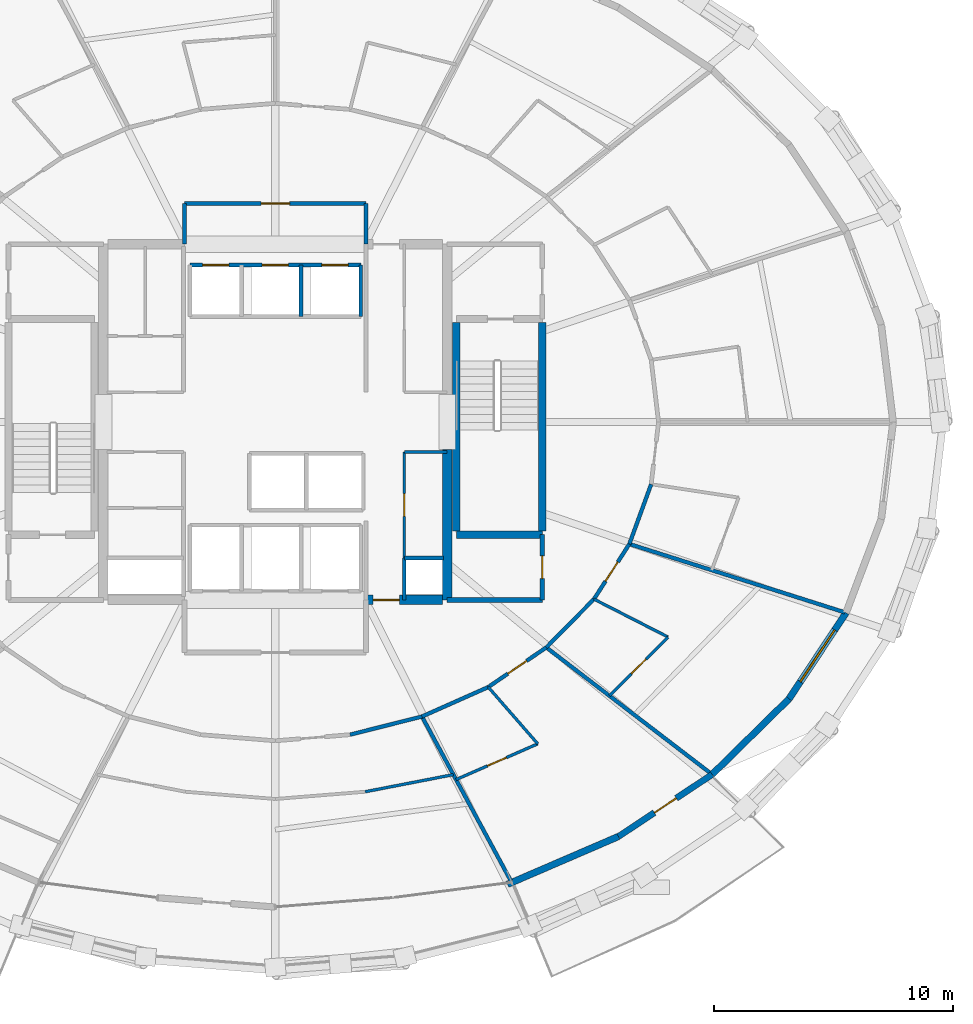
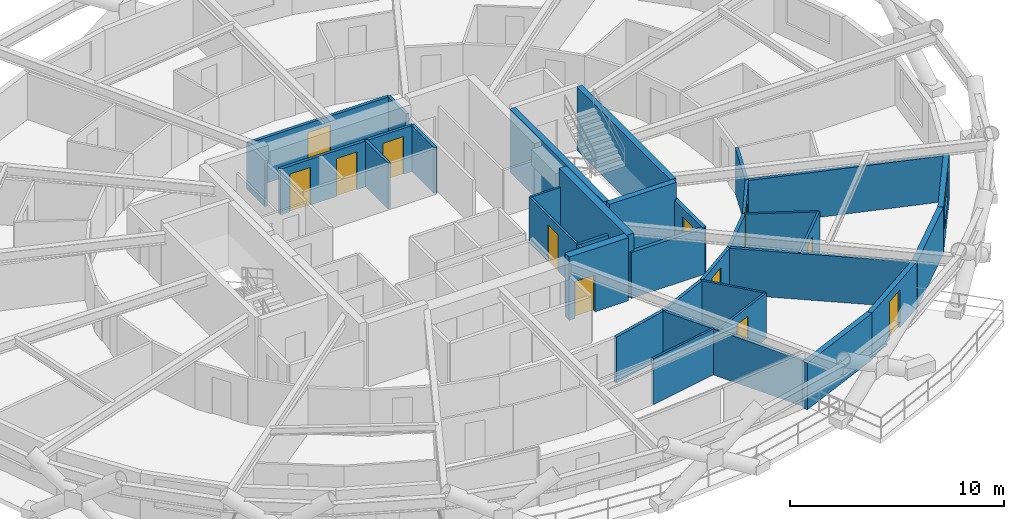
# One storey, part 9 of 13: 35 walls, 12 doors, 1 window, 13 openings.
"""IFC4 building model written with IfcOpenShell, lengths in metres."""

from ifc_helpers import new_model, si_unit, direction, frame, frame_2d, origin, place, context, subcontext, project, spatial, rectangle, extrude, material, layer, layer_set, type_object, element, fill, save


model = new_model("IFC4")

# Units and contexts
model_context = context("Model", 3, precision=1e-05, world=origin(), true_north=direction((0.0, 1.0)))
body_context = subcontext(model_context, "Body", "Model", "MODEL_VIEW")
ifc_project = project(units=[si_unit("LENGTHUNIT", "METRE"), si_unit("AREAUNIT", "SQUARE_METRE"), si_unit("VOLUMEUNIT", "CUBIC_METRE"), si_unit("PLANEANGLEUNIT", "RADIAN"), si_unit("MASSUNIT", "GRAM", prefix="KILO")], contexts=[model_context])

# Site, building, storey
site_placement = place(None, origin())
site = spatial("IfcSite", under=ifc_project, at=site_placement, CompositionType="ELEMENT")
building_placement = place(site_placement, origin())
building = spatial("IfcBuilding", under=site, at=building_placement, Name="Veldorina Hangang Commons", CompositionType="ELEMENT")
storey_placement = place(building_placement, frame((0.0, 0.0, 37.60009765625)))
storey = spatial("IfcBuildingStorey", under=building, at=storey_placement, Name="L08", CompositionType="ELEMENT", Elevation=37.60009765625)

# Wall
ifc_material_1 = material(Name="Concrete C70/85", Category="concrete")
ifc_layer_1 = layer(ifc_material_1, 0.39990234375)
ifc_layer_set_1 = layer_set([ifc_layer_1], Name="Concrete C70/85")
wall_type_1 = type_object("IfcWallType", Name="CW-RC400-C70", PredefinedType="SHEAR", material=ifc_layer_set_1)
wall_1_placement = place(storey_placement, frame((39.199951171875, 16.550048828125, 0.0), z_axis=(0.0, 0.0, 1.0), x_axis=(0.0, 1.0, 0.0)))
element("IfcWall", 1, at=wall_1_placement, inside=storey, type_object=wall_type_1, Name="L08 E south core shear wall", PredefinedType="SHEAR", context=body_context, shape_type="SweptSolid", body=[
    extrude(rectangle(XDim=6.300048828125, YDim=0.39990234375, at=frame_2d((3.14990234375, 0.0))), origin(), (0.0, 0.0, 1.0), 3.599853515625),
])

# Wall, opening, door
wall_2_placement = place(storey_placement, frame((35.800048828125, 16.550048828125, 0.0), z_axis=(0.0, 0.0, 1.0), x_axis=(1.0, 0.0, 0.0)))
wall_2 = element("IfcWall", 2, at=wall_2_placement, inside=storey, type_object=wall_type_1, Name="L08 south-east core shear wall", PredefinedType="SHEAR", context=body_context, shape_type="SweptSolid", body=[
    extrude(rectangle(XDim=3.199951171875, YDim=0.39990234375, at=frame_2d((1.60009765625, 0.0))), origin(), (0.0, 0.0, 1.0), 3.599853515625),
])
opening_1_placement = place(wall_2_placement, frame((0.300048828125, 0.0, 0.0)))
opening_1 = element("IfcOpeningElement", 3, at=opening_1_placement, cuts=wall_2, Name="Opening D-08", PredefinedType="OPENING", context=body_context, shape_type="SweptSolid", body=[
    extrude(rectangle(XDim=1.10009765625, YDim=2.10009765625, at=frame_2d((0.550048828125, 1.050048828125))), frame((0.0, 0.2099609375, 0.0), z_axis=(0.0, -1.0, 0.0), x_axis=(1.0, 0.0, 0.0)), (0.0, 0.0, 1.0), 0.419921875),
])
ifc_material_2 = material(Name="Steel Fire-Rated Smoke Seal", Category="steel")
door_type_1 = type_object("IfcDoorType", Name="DR-FIRE-1100", OperationType="SINGLE_SWING_RIGHT", PredefinedType="DOOR", material=ifc_material_2)
door_1_placement = place(opening_1_placement, origin())
door_1 = element("IfcDoor", 4, at=door_1_placement, inside=storey, type_object=door_type_1, Name="L08 central lift lobby south corridor door", OperationType="SINGLE_SWING_RIGHT", OverallHeight=2.10009765625, OverallWidth=1.10009765625, PredefinedType="DOOR", context=body_context, shape_type="SweptSolid", body=[
    extrude(rectangle(XDim=1.10009765625, YDim=2.10009765625, at=frame_2d((0.550048828125, 1.050048828125))), frame((0.0, 0.02490234375, 0.0), z_axis=(0.0, -1.0, 0.0), x_axis=(1.0, 0.0, 0.0)), (0.0, 0.0, 1.0), 0.050048828125),
])
fill(opening_1, door_1)

ifc_material_3 = material(Name="Stone Roman Travertine", Category="masonry")
ifc_layer_2 = layer(ifc_material_3, 0.260009765625)
ifc_layer_set_2 = layer_set([ifc_layer_2], Name="Stone Roman Travertine")
wall_type_2 = type_object("IfcWallType", Name="EW-LOGGIA-260", PredefinedType="STANDARD", material=ifc_layer_set_2)
wall_3_placement = place(storey_placement, frame((46.374755859375, 6.64404296875, 0.0), z_axis=(0.0, 0.0, 1.0), x_axis=(0.833795486972, 0.552073442492, 0.0)))
wall_3 = element("IfcWall", 5, at=wall_3_placement, inside=storey, type_object=wall_type_2, Name="L08 sky-garden loggia portal wall 27", PredefinedType="STANDARD", context=body_context, shape_type="SweptSolid", body=[
    extrude(rectangle(XDim=4.7021484375, YDim=0.260009765625, at=frame_2d((2.35107421875, 0.0))), origin(), (0.0, 0.0, 1.0), 2.64990234375),
])
opening_2_placement = place(wall_3_placement, frame((1.801025390625, 0.0, 0.0)))
opening_2 = element("IfcOpeningElement", 6, at=opening_2_placement, cuts=wall_3, Name="Opening BD-1100", PredefinedType="OPENING", context=body_context, shape_type="SweptSolid", body=[
    extrude(rectangle(XDim=1.10009765625, YDim=2.14990234375, at=frame_2d((0.550048828125, 1.074951171875))), frame((0.0, 0.14013671875, 0.0), z_axis=(0.0, -1.0, 0.0), x_axis=(1.0, 0.0, 0.0)), (0.0, 0.0, 1.0), 0.280029296875),
])
ifc_material_4 = material(Name="Glass Thermal Aluminium Frame", Category="aluminium")
door_type_2 = type_object("IfcDoorType", Name="DR-EXT-BAL1100", OperationType="SINGLE_SWING_RIGHT", PredefinedType="DOOR", material=ifc_material_4)
door_2_placement = place(opening_2_placement, origin())
door_2 = element("IfcDoor", 7, at=door_2_placement, inside=storey, type_object=door_type_2, Name="L08 tree balcony glazed exterior door 27", OperationType="SINGLE_SWING_RIGHT", OverallHeight=2.14990234375, OverallWidth=1.10009765625, PredefinedType="DOOR", context=body_context, shape_type="SweptSolid", body=[
    extrude(rectangle(XDim=1.10009765625, YDim=2.14990234375, at=frame_2d((0.550048828125, 1.074951171875))), frame((0.0, 0.02490234375, 0.0), z_axis=(0.0, -1.0, 0.0), x_axis=(1.0, 0.0, 0.0)), (0.0, 0.0, 1.0), 0.050048828125),
])
fill(opening_2, door_2)

# Walls
ifc_layer_3 = layer(ifc_material_3, 0.280029296875)
ifc_layer_set_3 = layer_set([ifc_layer_3], Name="Stone Roman Travertine")
wall_type_3 = type_object("IfcWallType", Name="EW-TRAV-280", PredefinedType="STANDARD", material=ifc_layer_set_3)
wall_4_placement = place(storey_placement, frame((41.72412109375, 4.638671875, 0.0), z_axis=(0.0, 0.0, 1.0), x_axis=(0.91826758141, 0.395960413339, 0.0)))
element("IfcWall", 8, at=wall_4_placement, inside=storey, type_object=wall_type_3, Name="L08 travertine facade wall 26", PredefinedType="STANDARD", context=body_context, shape_type="SweptSolid", body=[
    extrude(rectangle(XDim=5.064453125, YDim=0.280029296875, at=frame_2d((2.5322265625, 0.0))), origin(), (0.0, 0.0, 1.0), 2.64990234375),
])
wall_5_placement = place(storey_placement, frame((50.29541015625, 9.239990234375, 0.0), z_axis=(0.0, 0.0, 1.0), x_axis=(0.713140886871, 0.701020738262, 0.0)))
element("IfcWall", 9, at=wall_5_placement, inside=storey, type_object=wall_type_3, Name="L08 travertine facade wall 28", PredefinedType="STANDARD", context=body_context, shape_type="SweptSolid", body=[
    extrude(rectangle(XDim=4.51220703125, YDim=0.280029296875, at=frame_2d((2.256103515625, 0.0))), origin(), (0.0, 0.0, 1.0), 2.64990234375),
])

# Wall, opening, window
wall_6_placement = place(storey_placement, frame((53.51318359375, 12.403076171875, 0.0), z_axis=(0.0, 0.0, 1.0), x_axis=(0.552329372668, 0.833625973737, 0.0)))
wall_6 = element("IfcWall", 10, at=wall_6_placement, inside=storey, type_object=wall_type_3, Name="L08 travertine facade wall 29", PredefinedType="STANDARD", context=body_context, shape_type="SweptSolid", body=[
    extrude(rectangle(XDim=4.3291015625, YDim=0.280029296875, at=frame_2d((2.16455078125, 0.0))), origin(), (0.0, 0.0, 1.0), 2.64990234375),
])
opening_3_placement = place(wall_6_placement, frame((0.864501953125, 0.0, 0.800048828125)))
opening_3 = element("IfcOpeningElement", 11, at=opening_3_placement, cuts=wall_6, Name="Opening W-02", PredefinedType="OPENING", context=body_context, shape_type="SweptSolid", body=[
    extrude(rectangle(XDim=2.60009765625, YDim=1.64990234375, at=frame_2d((1.300048828125, 0.824951171875))), frame((0.0, 0.14990234375, 0.0), z_axis=(0.0, -1.0, 0.0), x_axis=(1.0, 0.0, 0.0)), (0.0, 0.0, 1.0), 0.300048828125),
])
ifc_material_5 = material(Name="Glass Low-E Triple IGU", Category="glass")
window_type = type_object("IfcWindowType", Name="WIN-TWR-2600", PartitioningType="SINGLE_PANEL", PredefinedType="WINDOW", material=ifc_material_5)
window_placement = place(opening_3_placement, origin())
window = element("IfcWindow", 12, at=window_placement, inside=storey, type_object=window_type, Name="L08 facade window 29", OverallHeight=1.64990234375, OverallWidth=2.60009765625, PartitioningType="SINGLE_PANEL", PredefinedType="WINDOW", context=body_context, shape_type="SweptSolid", body=[
    extrude(rectangle(XDim=2.60009765625, YDim=1.64990234375, at=frame_2d((1.300048828125, 0.824951171875))), frame((0.0, 0.030029296875, 0.0), z_axis=(0.0, -1.0, 0.0), x_axis=(1.0, 0.0, 0.0)), (0.0, 0.0, 1.0), 0.06005859375),
])
fill(opening_3, window)

# Walls
ifc_material_6 = material(Name="Concrete C50/60", Category="concrete")
ifc_layer_4 = layer(ifc_material_6, 0.300048828125)
ifc_layer_set_4 = layer_set([ifc_layer_4], Name="Concrete C50/60")
wall_type_4 = type_object("IfcWallType", Name="SW-STAIR-300", PredefinedType="SHEAR", material=ifc_layer_set_4)
for number, where, z_axis, x_axis, name in (
    (13, (43.179931640625, 19.429931640625, 0.0), (0.0, 0.0, 1.0), (0.0, 1.0, 0.0), "L08 ST2 outer stair shear wall"),
    (14, (39.580078125, 19.429931640625, 0.0), (0.0, 0.0, 1.0), (0.0, 1.0, 0.0), "L08 ST2 inner stair shear wall"),
):
    element("IfcWall", number, at=place(storey_placement, frame(where, z_axis=z_axis, x_axis=x_axis)), inside=storey, type_object=wall_type_4, Name=name, PredefinedType="SHEAR", context=body_context, shape_type="SweptSolid", body=[
        extrude(rectangle(XDim=8.739990234375, YDim=0.300048828125, at=frame_2d((4.3701171875, 0.0))), origin(), (0.0, 0.0, 1.0), 3.599853515625),
    ])
wall_7_placement = place(storey_placement, frame((39.580078125, 19.280029296875, 0.0), z_axis=(0.0, 0.0, 1.0), x_axis=(1.0, 0.0, 0.0)))
element("IfcWall", 15, at=wall_7_placement, inside=storey, type_object=wall_type_4, Name="L08 ST2 south stair shear wall", PredefinedType="SHEAR", context=body_context, shape_type="SweptSolid", body=[
    extrude(rectangle(XDim=3.599853515625, YDim=0.300048828125, at=frame_2d((1.7998046875, 0.0))), origin(), (0.0, 0.0, 1.0), 3.599853515625),
])
ifc_material_7 = material(Name="Gypsum Fire-Rated Twin Stud Wall", Category="gypsum")
ifc_layer_5 = layer(ifc_material_7, 0.159912109375)
ifc_layer_set_5 = layer_set([ifc_layer_5], Name="Gypsum Fire-Rated Twin Stud Wall")
wall_type_5 = type_object("IfcWallType", Name="WL-FIRE-160", PredefinedType="SOLIDWALL", material=ifc_layer_set_5)
wall_8_placement = place(storey_placement, frame((37.39990234375, 16.550048828125, 0.0), z_axis=(0.0, 0.0, 1.0), x_axis=(0.0, 1.0, 0.0)))
element("IfcWall", 16, at=wall_8_placement, inside=storey, type_object=wall_type_5, Name="L08 Lift passage SE stub 010", PredefinedType="SOLIDWALL", context=body_context, shape_type="SweptSolid", body=[
    extrude(rectangle(XDim=1.75, YDim=0.159912109375, at=frame_2d((0.875, 0.0))), origin(), (0.0, 0.0, 1.0), 2.60986328125),
])

# Wall, openings, doors
wall_9_placement = place(storey_placement, frame((28.419921875, 30.580078125, 0.0), z_axis=(0.0, 0.0, 1.0), x_axis=(1.0, 0.0, 0.0)))
wall_9 = element("IfcWall", 17, at=wall_9_placement, inside=storey, type_object=wall_type_5, Name="L08 Low-bank front shaft wall 015", PredefinedType="SOLIDWALL", context=body_context, shape_type="SweptSolid", body=[
    extrude(rectangle(XDim=7.16015625, YDim=0.159912109375, at=frame_2d((3.580078125, 0.0))), origin(), (0.0, 0.0, 1.0), 2.60986328125),
])
opening_4_placement = place(wall_9_placement, frame((0.530029296875, 0.0, 0.0)))
opening_4 = element("IfcOpeningElement", 18, at=opening_4_placement, cuts=wall_9, Name="Opening LD-01", PredefinedType="OPENING", context=body_context, shape_type="SweptSolid", body=[
    extrude(rectangle(XDim=1.10009765625, YDim=2.14990234375, at=frame_2d((0.550048828125, 1.074951171875))), frame((0.0, 0.08984375, 0.0), z_axis=(0.0, -1.0, 0.0), x_axis=(1.0, 0.0, 0.0)), (0.0, 0.0, 1.0), 0.179931640625),
])
opening_5_placement = place(wall_9_placement, frame((3.030029296875, 0.0, 0.0)))
opening_5 = element("IfcOpeningElement", 19, at=opening_5_placement, cuts=wall_9, Name="Opening LD-01", PredefinedType="OPENING", context=body_context, shape_type="SweptSolid", body=[
    extrude(rectangle(XDim=1.10009765625, YDim=2.14990234375, at=frame_2d((0.550048828125, 1.074951171875))), frame((0.0, 0.08984375, 0.0), z_axis=(0.0, -1.0, 0.0), x_axis=(1.0, 0.0, 0.0)), (0.0, 0.0, 1.0), 0.179931640625),
])
opening_6_placement = place(wall_9_placement, frame((5.530029296875, 0.0, 0.0)))
opening_6 = element("IfcOpeningElement", 20, at=opening_6_placement, cuts=wall_9, Name="Opening LD-01", PredefinedType="OPENING", context=body_context, shape_type="SweptSolid", body=[
    extrude(rectangle(XDim=1.10009765625, YDim=2.14990234375, at=frame_2d((0.550048828125, 1.074951171875))), frame((0.0, 0.08984375, 0.0), z_axis=(0.0, -1.0, 0.0), x_axis=(1.0, 0.0, 0.0)), (0.0, 0.0, 1.0), 0.179931640625),
])
ifc_material_8 = material(Name="Stainless Steel Brushed Lift Door", Category="steel")
door_type_3 = type_object("IfcDoorType", Name="DR-LIFT-1100", OperationType="SLIDING_TO_LEFT", PredefinedType="DOOR", material=ifc_material_8)
door_3_placement = place(opening_4_placement, origin())
door_3 = element("IfcDoor", 21, at=door_3_placement, inside=storey, type_object=door_type_3, Name="L08 Lift PL-L1 landing door 006", OperationType="SLIDING_TO_LEFT", OverallHeight=2.14990234375, OverallWidth=1.10009765625, PredefinedType="DOOR", context=body_context, shape_type="SweptSolid", body=[
    extrude(rectangle(XDim=1.10009765625, YDim=2.14990234375, at=frame_2d((0.550048828125, 1.074951171875))), frame((0.0, 0.02490234375, 0.0), z_axis=(0.0, -1.0, 0.0), x_axis=(1.0, 0.0, 0.0)), (0.0, 0.0, 1.0), 0.050048828125),
])
fill(opening_4, door_3)
door_4_placement = place(opening_5_placement, origin())
door_4 = element("IfcDoor", 22, at=door_4_placement, inside=storey, type_object=door_type_3, Name="L08 Lift PL-L2 landing door 007", OperationType="SLIDING_TO_LEFT", OverallHeight=2.14990234375, OverallWidth=1.10009765625, PredefinedType="DOOR", context=body_context, shape_type="SweptSolid", body=[
    extrude(rectangle(XDim=1.10009765625, YDim=2.14990234375, at=frame_2d((0.550048828125, 1.074951171875))), frame((0.0, 0.02490234375, 0.0), z_axis=(0.0, -1.0, 0.0), x_axis=(1.0, 0.0, 0.0)), (0.0, 0.0, 1.0), 0.050048828125),
])
fill(opening_5, door_4)
door_5_placement = place(opening_6_placement, origin())
door_5 = element("IfcDoor", 23, at=door_5_placement, inside=storey, type_object=door_type_3, Name="L08 Lift PL-L3 landing door 008", OperationType="SLIDING_TO_LEFT", OverallHeight=2.14990234375, OverallWidth=1.10009765625, PredefinedType="DOOR", context=body_context, shape_type="SweptSolid", body=[
    extrude(rectangle(XDim=1.10009765625, YDim=2.14990234375, at=frame_2d((0.550048828125, 1.074951171875))), frame((0.0, 0.02490234375, 0.0), z_axis=(0.0, -1.0, 0.0), x_axis=(1.0, 0.0, 0.0)), (0.0, 0.0, 1.0), 0.050048828125),
])
fill(opening_6, door_5)

# Walls
for number, where, z_axis, x_axis, name in (
    (24, (33.080078125, 28.419921875, 0.0), (0.0, 0.0, 1.0), (0.0, 1.0, 0.0), "L08 PL-L2 east shaft wall 019"),
    (25, (35.580078125, 28.419921875, 0.0), (0.0, 0.0, 1.0), (0.0, 1.0, 0.0), "L08 PL-L3 east shaft wall 020"),
):
    element("IfcWall", number, at=place(storey_placement, frame(where, z_axis=z_axis, x_axis=x_axis)), inside=storey, type_object=wall_type_5, Name=name, PredefinedType="SOLIDWALL", context=body_context, shape_type="SweptSolid", body=[
        extrude(rectangle(XDim=2.16015625, YDim=0.159912109375, at=frame_2d((1.080078125, 0.0))), origin(), (0.0, 0.0, 1.0), 2.60986328125),
    ])
for number, where, z_axis, x_axis, name in (
    (26, (28.199951171875, 31.449951171875, 0.0), (0.0, 0.0, 1.0), (0.0, 1.0, 0.0), "L08 North lobby west wall 032"),
    (27, (35.800048828125, 31.449951171875, 0.0), (0.0, 0.0, 1.0), (0.0, 1.0, 0.0), "L08 North lobby east wall 033"),
):
    element("IfcWall", number, at=place(storey_placement, frame(where, z_axis=z_axis, x_axis=x_axis)), inside=storey, type_object=wall_type_5, Name=name, PredefinedType="SOLIDWALL", context=body_context, shape_type="SweptSolid", body=[
        extrude(rectangle(XDim=1.699951171875, YDim=0.159912109375, at=frame_2d((0.85009765625, 0.0))), origin(), (0.0, 0.0, 1.0), 2.60986328125),
    ])

# Wall, opening, door
wall_10_placement = place(storey_placement, frame((28.199951171875, 33.14990234375, 0.0), z_axis=(0.0, 0.0, 1.0), x_axis=(1.0, 0.0, 0.0)))
wall_10 = element("IfcWall", 28, at=wall_10_placement, inside=storey, type_object=wall_type_5, Name="L08 North lobby north wall 034", PredefinedType="SOLIDWALL", context=body_context, shape_type="SweptSolid", body=[
    extrude(rectangle(XDim=7.60009765625, YDim=0.159912109375, at=frame_2d((3.800048828125, 0.0))), origin(), (0.0, 0.0, 1.0), 2.60986328125),
])
opening_7_placement = place(wall_10_placement, frame((3.199951171875, 0.0, 0.0)))
opening_7 = element("IfcOpeningElement", 29, at=opening_7_placement, cuts=wall_10, Name="Opening D-09", PredefinedType="OPENING", context=body_context, shape_type="SweptSolid", body=[
    extrude(rectangle(XDim=1.199951171875, YDim=2.10009765625, at=frame_2d((0.60009765625, 1.050048828125))), frame((0.0, 0.08984375, 0.0), z_axis=(0.0, -1.0, 0.0), x_axis=(1.0, 0.0, 0.0)), (0.0, 0.0, 1.0), 0.179931640625),
])
ifc_material_9 = material(Name="Steel Fire-Rated Corridor Door", Category="steel")
door_type_4 = type_object("IfcDoorType", Name="DR-FIRE-1200", OperationType="SINGLE_SWING_LEFT", PredefinedType="DOOR", material=ifc_material_9)
door_6_placement = place(opening_7_placement, origin())
door_6 = element("IfcDoor", 30, at=door_6_placement, inside=storey, type_object=door_type_4, Name="L08 North lift lobby corridor door 012", OperationType="SINGLE_SWING_RIGHT", OverallHeight=2.10009765625, OverallWidth=1.199951171875, PredefinedType="DOOR", context=body_context, shape_type="SweptSolid", body=[
    extrude(rectangle(XDim=1.199951171875, YDim=2.10009765625, at=frame_2d((0.60009765625, 1.050048828125))), frame((0.0, 0.02490234375, 0.0), z_axis=(0.0, -1.0, 0.0), x_axis=(1.0, 0.0, 0.0)), (0.0, 0.0, 1.0), 0.050048828125),
])
fill(opening_7, door_6)

# Walls
wall_11_placement = place(storey_placement, frame((37.39990234375, 18.300048828125, 0.0), z_axis=(0.0, 0.0, 1.0), x_axis=(1.0, 0.0, 0.0)))
element("IfcWall", 31, at=wall_11_placement, inside=storey, type_object=wall_type_5, Name="L08 Plumbing riser wall 037", PredefinedType="SOLIDWALL", context=body_context, shape_type="SweptSolid", body=[
    extrude(rectangle(XDim=1.650146484375, YDim=0.159912109375, at=frame_2d((0.8251953125, 0.0))), origin(), (0.0, 0.0, 1.0), 2.60986328125),
])
wall_12_placement = place(storey_placement, frame((35.131103515625, 10.906494140625, 0.0), z_axis=(0.0, 0.0, 1.0), x_axis=(0.969608333194, 0.244662380029, 0.0)))
element("IfcWall", 32, at=wall_12_placement, inside=storey, type_object=wall_type_5, Name="L08 Corridor outer wall 25 073", PredefinedType="SOLIDWALL", context=body_context, shape_type="SweptSolid", body=[
    extrude(rectangle(XDim=3.10546875, YDim=0.159912109375, at=frame_2d((1.552734375, 0.0))), origin(), (0.0, 0.0, 1.0), 2.60986328125),
])
wall_13_placement = place(storey_placement, frame((38.14208984375, 11.666259765625, 0.0), z_axis=(0.0, 0.0, 1.0), x_axis=(0.913768445178, 0.406235434936, 0.0)))
element("IfcWall", 33, at=wall_13_placement, inside=storey, type_object=wall_type_5, Name="L08 Corridor outer wall 26 074", PredefinedType="SOLIDWALL", context=body_context, shape_type="SweptSolid", body=[
    extrude(rectangle(XDim=3.036865234375, YDim=0.159912109375, at=frame_2d((1.5185546875, 0.0))), origin(), (0.0, 0.0, 1.0), 2.60986328125),
])

# Wall, opening, door
wall_14_placement = place(storey_placement, frame((40.9169921875, 12.89990234375, 0.0), z_axis=(0.0, 0.0, 1.0), x_axis=(0.825929039072, 0.563774088104, 0.0)))
wall_14 = element("IfcWall", 34, at=wall_14_placement, inside=storey, type_object=wall_type_5, Name="L08 Corridor outer wall 27 075", PredefinedType="SOLIDWALL", context=body_context, shape_type="SweptSolid", body=[
    extrude(rectangle(XDim=2.94482421875, YDim=0.159912109375, at=frame_2d((1.472412109375, 0.0))), origin(), (0.0, 0.0, 1.0), 2.60986328125),
])
opening_8_placement = place(wall_14_placement, frame((0.997314453125, 0.0, 0.0)))
opening_8 = element("IfcOpeningElement", 35, at=opening_8_placement, cuts=wall_14, Name="Opening D-03", PredefinedType="OPENING", context=body_context, shape_type="SweptSolid", body=[
    extrude(rectangle(XDim=0.949951171875, YDim=2.10009765625, at=frame_2d((0.47509765625, 1.050048828125))), frame((0.0, 0.08984375, 0.0), z_axis=(0.0, -1.0, 0.0), x_axis=(1.0, 0.0, 0.0)), (0.0, 0.0, 1.0), 0.179931640625),
])
ifc_material_10 = material(Name="Timber Fire-Rated Entrance Core", Category="wood")
door_type_5 = type_object("IfcDoorType", Name="DR-UNIT-950", OperationType="SINGLE_SWING_RIGHT", PredefinedType="DOOR", material=ifc_material_10)
door_7_placement = place(opening_8_placement, origin())
door_7 = element("IfcDoor", 36, at=door_7_placement, inside=storey, type_object=door_type_5, Name="L08 Studio 2 entrance door 023", OperationType="SINGLE_SWING_LEFT", OverallHeight=2.10009765625, OverallWidth=0.949951171875, PredefinedType="DOOR", context=body_context, shape_type="SweptSolid", body=[
    extrude(rectangle(XDim=0.949951171875, YDim=2.10009765625, at=frame_2d((0.47509765625, 1.050048828125))), frame((0.0, 0.02490234375, 0.0), z_axis=(0.0, -1.0, 0.0), x_axis=(1.0, 0.0, 0.0)), (0.0, 0.0, 1.0), 0.050048828125),
])
fill(opening_8, door_7)

# Wall
wall_15_placement = place(storey_placement, frame((43.34912109375, 14.56005859375, 0.0), z_axis=(0.0, 0.0, 1.0), x_axis=(0.702366174226, 0.711815816981, 0.0)))
element("IfcWall", 37, at=wall_15_placement, inside=storey, type_object=wall_type_5, Name="L08 Corridor outer wall 28 076", PredefinedType="SOLIDWALL", context=body_context, shape_type="SweptSolid", body=[
    extrude(rectangle(XDim=2.842041015625, YDim=0.159912109375, at=frame_2d((1.4208984375, 0.0))), origin(), (0.0, 0.0, 1.0), 2.60986328125),
])

# Wall, opening, door
wall_16_placement = place(storey_placement, frame((45.34521484375, 16.5830078125, 0.0), z_axis=(0.0, 0.0, 1.0), x_axis=(0.540595670038, 0.841282545603, 0.0)))
wall_16 = element("IfcWall", 38, at=wall_16_placement, inside=storey, type_object=wall_type_5, Name="L08 Corridor outer wall 29 077", PredefinedType="SOLIDWALL", context=body_context, shape_type="SweptSolid", body=[
    extrude(rectangle(XDim=2.74365234375, YDim=0.159912109375, at=frame_2d((1.371826171875, 0.0))), origin(), (0.0, 0.0, 1.0), 2.60986328125),
])
opening_9_placement = place(wall_16_placement, frame((0.896728515625, 0.0, 0.0)))
opening_9 = element("IfcOpeningElement", 39, at=opening_9_placement, cuts=wall_16, Name="Opening D-03", PredefinedType="OPENING", context=body_context, shape_type="SweptSolid", body=[
    extrude(rectangle(XDim=0.949951171875, YDim=2.10009765625, at=frame_2d((0.47509765625, 1.050048828125))), frame((0.0, 0.08984375, 0.0), z_axis=(0.0, -1.0, 0.0), x_axis=(1.0, 0.0, 0.0)), (0.0, 0.0, 1.0), 0.179931640625),
])
door_8_placement = place(opening_9_placement, origin())
door_8 = element("IfcDoor", 40, at=door_8_placement, inside=storey, type_object=door_type_5, Name="L08 Studio 3 entrance door 025", OperationType="SINGLE_SWING_LEFT", OverallHeight=2.10009765625, OverallWidth=0.949951171875, PredefinedType="DOOR", context=body_context, shape_type="SweptSolid", body=[
    extrude(rectangle(XDim=0.949951171875, YDim=2.10009765625, at=frame_2d((0.47509765625, 1.050048828125))), frame((0.0, 0.02490234375, 0.0), z_axis=(0.0, -1.0, 0.0), x_axis=(1.0, 0.0, 0.0)), (0.0, 0.0, 1.0), 0.050048828125),
])
fill(opening_9, door_8)

# Walls
wall_17_placement = place(storey_placement, frame((46.828369140625, 18.89111328125, 0.0), z_axis=(0.0, 0.0, 1.0), x_axis=(0.342617982381, 0.939474809747, 0.0)))
element("IfcWall", 41, at=wall_17_placement, inside=storey, type_object=wall_type_5, Name="L08 Corridor outer wall 30 078", PredefinedType="SOLIDWALL", context=body_context, shape_type="SweptSolid", body=[
    extrude(rectangle(XDim=2.665771484375, YDim=0.159912109375, at=frame_2d((1.3330078125, 0.0))), origin(), (0.0, 0.0, 1.0), 2.60986328125),
])
wall_18_placement = place(storey_placement, frame((38.14208984375, 11.666259765625, 0.0), z_axis=(0.0, 0.0, 1.0), x_axis=(0.475710154332, -0.879602097011, 0.0)))
element("IfcWall", 42, at=wall_18_placement, inside=storey, type_object=wall_type_5, Name="L08 Unit party wall 26 085", PredefinedType="SOLIDWALL", context=body_context, shape_type="SweptSolid", body=[
    extrude(rectangle(XDim=7.852783203125, YDim=0.159912109375, at=frame_2d((3.92626953125, 0.0))), origin(), (0.0, 0.0, 1.0), 2.60986328125),
])
wall_19_placement = place(storey_placement, frame((43.34912109375, 14.56005859375, 0.0), z_axis=(0.0, 0.0, 1.0), x_axis=(0.793917921688, -0.608024944902, 0.0)))
element("IfcWall", 43, at=wall_19_placement, inside=storey, type_object=wall_type_5, Name="L08 Unit party wall 28 088", PredefinedType="SOLIDWALL", context=body_context, shape_type="SweptSolid", body=[
    extrude(rectangle(XDim=8.699462890625, YDim=0.159912109375, at=frame_2d((4.349609375, 0.0))), origin(), (0.0, 0.0, 1.0), 2.60986328125),
])
wall_20_placement = place(storey_placement, frame((46.828369140625, 18.89111328125, 0.0), z_axis=(0.0, 0.0, 1.0), x_axis=(0.953188788185, -0.30237581596, 0.0)))
element("IfcWall", 44, at=wall_20_placement, inside=storey, type_object=wall_type_5, Name="L08 Unit party wall 30 091", PredefinedType="SOLIDWALL", context=body_context, shape_type="SweptSolid", body=[
    extrude(rectangle(XDim=9.4716796875, YDim=0.159912109375, at=frame_2d((4.73583984375, 0.0))), origin(), (0.0, 0.0, 1.0), 2.60986328125),
])

# Wall, opening, door
ifc_material_11 = material(Name="Concrete Blockwork Fire Wall C30/37", Category="masonry")
ifc_layer_6 = layer(ifc_material_11, 0.199951171875)
ifc_layer_set_6 = layer_set([ifc_layer_6], Name="Concrete Blockwork Fire Wall C30/37")
wall_type_6 = type_object("IfcWallType", Name="WL-FIRE-200", PredefinedType="SOLIDWALL", material=ifc_layer_set_6)
wall_21_placement = place(storey_placement, frame((43.179931640625, 16.550048828125, 0.0), z_axis=(0.0, 0.0, 1.0), x_axis=(0.0, 1.0, 0.0)))
wall_21 = element("IfcWall", 45, at=wall_21_placement, inside=storey, type_object=wall_type_6, Name="L08 SE core room outer wall 007", PredefinedType="SOLIDWALL", context=body_context, shape_type="SweptSolid", body=[
    extrude(rectangle(XDim=2.72998046875, YDim=0.199951171875, at=frame_2d((1.364990234375, 0.0))), origin(), (0.0, 0.0, 1.0), 2.60986328125),
])
opening_10_placement = place(wall_21_placement, frame((0.889892578125, 0.0, 0.0)))
opening_10 = element("IfcOpeningElement", 46, at=opening_10_placement, cuts=wall_21, Name="Opening D-02", PredefinedType="OPENING", context=body_context, shape_type="SweptSolid", body=[
    extrude(rectangle(XDim=0.949951171875, YDim=2.10009765625, at=frame_2d((0.47509765625, 1.050048828125))), frame((0.0, 0.10986328125, 0.0), z_axis=(0.0, -1.0, 0.0), x_axis=(1.0, 0.0, 0.0)), (0.0, 0.0, 1.0), 0.219970703125),
])
ifc_material_12 = material(Name="Timber Solid Core Acoustic", Category="wood")
door_type_6 = type_object("IfcDoorType", Name="DR-INT-950", OperationType="SINGLE_SWING_LEFT", PredefinedType="DOOR", material=ifc_material_12)
door_9_placement = place(opening_10_placement, origin())
door_9 = element("IfcDoor", 47, at=door_9_placement, inside=storey, type_object=door_type_6, Name="L08 SE core WC door 004", OperationType="SINGLE_SWING_RIGHT", OverallHeight=2.10009765625, OverallWidth=0.949951171875, PredefinedType="DOOR", context=body_context, shape_type="SweptSolid", body=[
    extrude(rectangle(XDim=0.949951171875, YDim=2.10009765625, at=frame_2d((0.47509765625, 1.050048828125))), frame((0.0, 0.02490234375, 0.0), z_axis=(0.0, -1.0, 0.0), x_axis=(1.0, 0.0, 0.0)), (0.0, 0.0, 1.0), 0.050048828125),
])
fill(opening_10, door_9)

# Wall
wall_22_placement = place(storey_placement, frame((39.199951171875, 16.550048828125, 0.0), z_axis=(0.0, 0.0, 1.0), x_axis=(1.0, 0.0, 0.0)))
element("IfcWall", 48, at=wall_22_placement, inside=storey, type_object=wall_type_6, Name="L08 SE core room south wall 008", PredefinedType="SOLIDWALL", context=body_context, shape_type="SweptSolid", body=[
    extrude(rectangle(XDim=3.97998046875, YDim=0.199951171875, at=frame_2d((1.989990234375, 0.0))), origin(), (0.0, 0.0, 1.0), 2.60986328125),
])

# Wall, opening, door
ifc_material_13 = material(Name="Gypsum Acoustic Stud Partition", Category="gypsum")
ifc_layer_7 = layer(ifc_material_13, 0.1201171875)
ifc_layer_set_7 = layer_set([ifc_layer_7], Name="Gypsum Acoustic Stud Partition")
wall_type_7 = type_object("IfcWallType", Name="WL-PART-120", PredefinedType="PARTITIONING", material=ifc_layer_set_7)
wall_23_placement = place(storey_placement, frame((37.39990234375, 18.300048828125, 0.0), z_axis=(0.0, 0.0, 1.0), x_axis=(0.0, 1.0, 0.0)))
wall_23 = element("IfcWall", 49, at=wall_23_placement, inside=storey, type_object=wall_type_7, Name="L08 SE strip lobby wall 043", PredefinedType="PARTITIONING", context=body_context, shape_type="SweptSolid", body=[
    extrude(rectangle(XDim=4.449951171875, YDim=0.1201171875, at=frame_2d((2.22509765625, 0.0))), origin(), (0.0, 0.0, 1.0), 2.60986328125),
])
opening_11_placement = place(wall_23_placement, frame((1.75, 0.0, 0.0)))
opening_11 = element("IfcOpeningElement", 50, at=opening_11_placement, cuts=wall_23, Name="Opening D-02", PredefinedType="OPENING", context=body_context, shape_type="SweptSolid", body=[
    extrude(rectangle(XDim=0.949951171875, YDim=2.10009765625, at=frame_2d((0.47509765625, 1.050048828125))), frame((0.0, 0.070068359375, 0.0), z_axis=(0.0, -1.0, 0.0), x_axis=(1.0, 0.0, 0.0)), (0.0, 0.0, 1.0), 0.14013671875),
])
door_10_placement = place(opening_11_placement, origin())
door_10 = element("IfcDoor", 51, at=door_10_placement, inside=storey, type_object=door_type_6, Name="L08 Telemetry door 019", OperationType="SINGLE_SWING_LEFT", OverallHeight=2.10009765625, OverallWidth=0.949951171875, PredefinedType="DOOR", context=body_context, shape_type="SweptSolid", body=[
    extrude(rectangle(XDim=0.949951171875, YDim=2.10009765625, at=frame_2d((0.47509765625, 1.050048828125))), frame((0.0, 0.02490234375, 0.0), z_axis=(0.0, -1.0, 0.0), x_axis=(1.0, 0.0, 0.0)), (0.0, 0.0, 1.0), 0.050048828125),
])
fill(opening_11, door_10)

# Walls
wall_24_placement = place(storey_placement, frame((37.39990234375, 22.75, 0.0), z_axis=(0.0, 0.0, 1.0), x_axis=(1.0, 0.0, 0.0)))
element("IfcWall", 52, at=wall_24_placement, inside=storey, type_object=wall_type_7, Name="L08 SE strip north return wall 044", PredefinedType="PARTITIONING", context=body_context, shape_type="SweptSolid", body=[
    extrude(rectangle(XDim=1.800048828125, YDim=0.1201171875, at=frame_2d((0.89990234375, 0.0))), origin(), (0.0, 0.0, 1.0), 2.60986328125),
])
wall_25_placement = place(storey_placement, frame((35.763916015625, 8.51611328125, 0.0), z_axis=(0.0, 0.0, 1.0), x_axis=(0.981665665995, 0.190610913138, 0.0)))
element("IfcWall", 53, at=wall_25_placement, inside=storey, type_object=wall_type_7, Name="L08 Lounge alcove split 3 084", PredefinedType="PARTITIONING", context=body_context, shape_type="SweptSolid", body=[
    extrude(rectangle(XDim=3.76318359375, YDim=0.1201171875, at=frame_2d((1.881591796875, 0.0))), origin(), (0.0, 0.0, 1.0), 2.60986328125),
])

# Wall, opening, door
wall_26_placement = place(storey_placement, frame((39.57080078125, 9.02490234375, 0.0), z_axis=(0.0, 0.0, 1.0), x_axis=(0.916011707184, 0.401151532841, 0.0)))
wall_26 = element("IfcWall", 54, at=wall_26_placement, inside=storey, type_object=wall_type_7, Name="L08 Studio 2 bath front wall 086", PredefinedType="PARTITIONING", context=body_context, shape_type="SweptSolid", body=[
    extrude(rectangle(XDim=3.733642578125, YDim=0.1201171875, at=frame_2d((1.86669921875, 0.0))), origin(), (0.0, 0.0, 1.0), 2.60986328125),
])
opening_12_placement = place(wall_26_placement, frame((1.43701171875, 0.0, 0.0)))
opening_12 = element("IfcOpeningElement", 55, at=opening_12_placement, cuts=wall_26, Name="Opening D-01", PredefinedType="OPENING", context=body_context, shape_type="SweptSolid", body=[
    extrude(rectangle(XDim=0.860107421875, YDim=2.10009765625, at=frame_2d((0.43017578125, 1.050048828125))), frame((0.0, 0.070068359375, 0.0), z_axis=(0.0, -1.0, 0.0), x_axis=(1.0, 0.0, 0.0)), (0.0, 0.0, 1.0), 0.14013671875),
])
ifc_material_14 = material(Name="Timber Moisture-Resistant Core", Category="wood")
door_type_7 = type_object("IfcDoorType", Name="DR-WET-860", OperationType="SINGLE_SWING_LEFT", PredefinedType="DOOR", material=ifc_material_14)
door_11_placement = place(opening_12_placement, origin())
door_11 = element("IfcDoor", 56, at=door_11_placement, inside=storey, type_object=door_type_7, Name="L08 Studio 2 bathroom door 022", OperationType="SINGLE_SWING_RIGHT", OverallHeight=2.10009765625, OverallWidth=0.860107421875, PredefinedType="DOOR", context=body_context, shape_type="SweptSolid", body=[
    extrude(rectangle(XDim=0.860107421875, YDim=2.10009765625, at=frame_2d((0.43017578125, 1.050048828125))), frame((0.0, 0.02490234375, 0.0), z_axis=(0.0, -1.0, 0.0), x_axis=(1.0, 0.0, 0.0)), (0.0, 0.0, 1.0), 0.050048828125),
])
fill(opening_12, door_11)

# Wall
wall_27_placement = place(storey_placement, frame((40.9169921875, 12.89990234375, 0.0), z_axis=(0.0, 0.0, 1.0), x_axis=(0.657413632061, -0.753529904105, 0.0)))
element("IfcWall", 57, at=wall_27_placement, inside=storey, type_object=wall_type_7, Name="L08 Studio 2 bath side wall 087", PredefinedType="PARTITIONING", context=body_context, shape_type="SweptSolid", body=[
    extrude(rectangle(XDim=3.15478515625, YDim=0.1201171875, at=frame_2d((1.577392578125, 0.0))), origin(), (0.0, 0.0, 1.0), 2.60986328125),
])

# Wall, opening, door
wall_28_placement = place(storey_placement, frame((45.98876953125, 12.53857421875, 0.0), z_axis=(0.0, 0.0, 1.0), x_axis=(0.707703480641, 0.706509577776, 0.0)))
wall_28 = element("IfcWall", 58, at=wall_28_placement, inside=storey, type_object=wall_type_7, Name="L08 Studio 3 bath front wall 089", PredefinedType="PARTITIONING", context=body_context, shape_type="SweptSolid", body=[
    extrude(rectangle(XDim=3.476318359375, YDim=0.1201171875, at=frame_2d((1.73828125, 0.0))), origin(), (0.0, 0.0, 1.0), 2.60986328125),
])
opening_13_placement = place(wall_28_placement, frame((1.308349609375, 0.0, 0.0)))
opening_13 = element("IfcOpeningElement", 59, at=opening_13_placement, cuts=wall_28, Name="Opening D-01", PredefinedType="OPENING", context=body_context, shape_type="SweptSolid", body=[
    extrude(rectangle(XDim=0.860107421875, YDim=2.10009765625, at=frame_2d((0.43017578125, 1.050048828125))), frame((0.0, 0.070068359375, 0.0), z_axis=(0.0, -1.0, 0.0), x_axis=(1.0, 0.0, 0.0)), (0.0, 0.0, 1.0), 0.14013671875),
])
door_12_placement = place(opening_13_placement, origin())
door_12 = element("IfcDoor", 60, at=door_12_placement, inside=storey, type_object=door_type_7, Name="L08 Studio 3 bathroom door 024", OperationType="SINGLE_SWING_RIGHT", OverallHeight=2.10009765625, OverallWidth=0.860107421875, PredefinedType="DOOR", context=body_context, shape_type="SweptSolid", body=[
    extrude(rectangle(XDim=0.860107421875, YDim=2.10009765625, at=frame_2d((0.43017578125, 1.050048828125))), frame((0.0, 0.02490234375, 0.0), z_axis=(0.0, -1.0, 0.0), x_axis=(1.0, 0.0, 0.0)), (0.0, 0.0, 1.0), 0.050048828125),
])
fill(opening_13, door_12)

# Wall
wall_29_placement = place(storey_placement, frame((45.34521484375, 16.5830078125, 0.0), z_axis=(0.0, 0.0, 1.0), x_axis=(0.890200615817, -0.455568725439, 0.0)))
element("IfcWall", 61, at=wall_29_placement, inside=storey, type_object=wall_type_7, Name="L08 Studio 3 bath side wall 090", PredefinedType="PARTITIONING", context=body_context, shape_type="SweptSolid", body=[
    extrude(rectangle(XDim=3.486572265625, YDim=0.1201171875, at=frame_2d((1.7431640625, 0.0))), origin(), (0.0, 0.0, 1.0), 2.60986328125),
])

save(model, "model.ifc")
